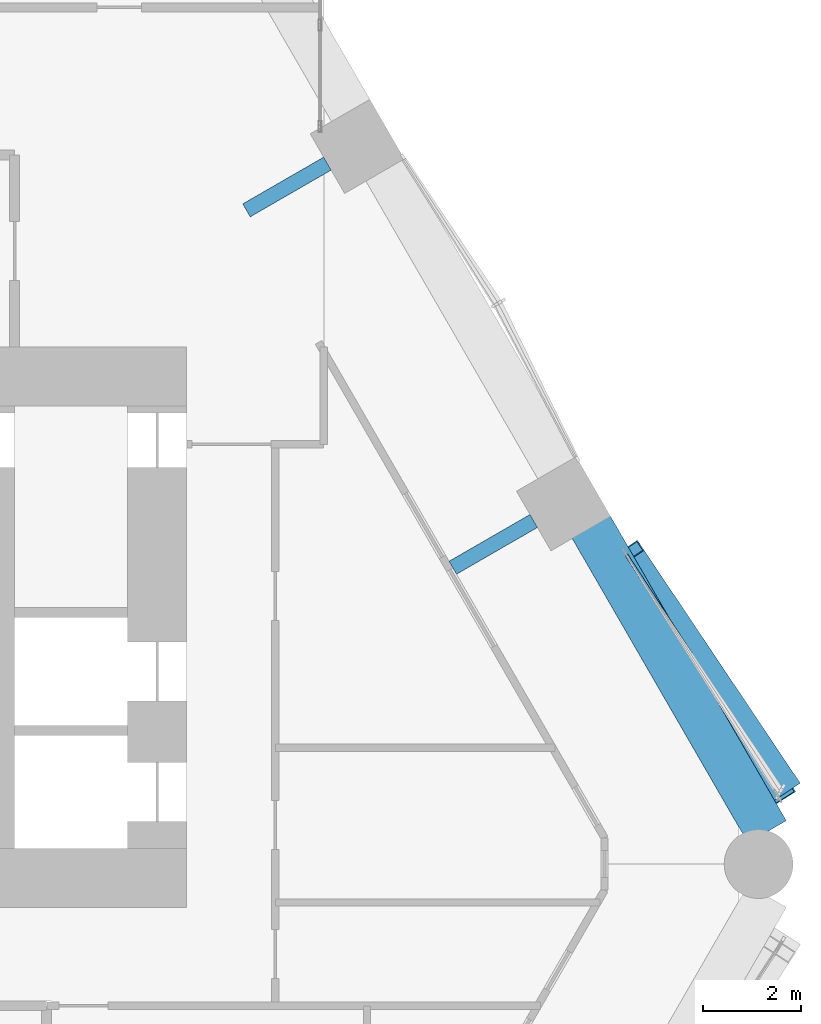
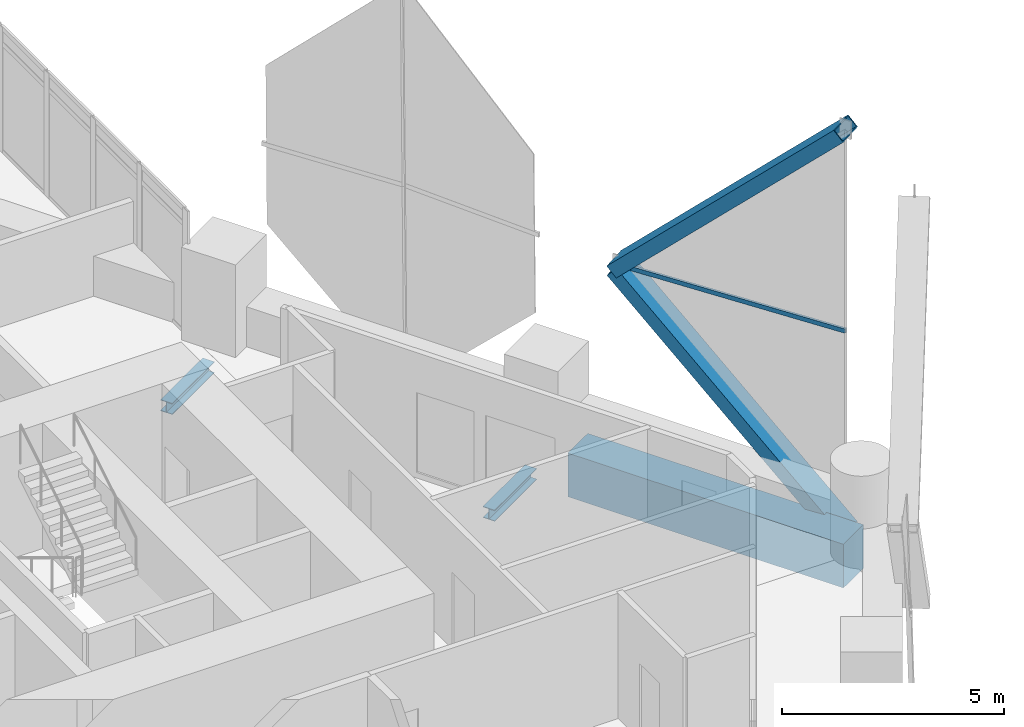
# One storey, part 19 of 35: 3 beams, 3 members, 1 element without a shape of its own.
"""IFC4 building model written with IfcOpenShell, lengths in metres."""

from ifc_helpers import new_model, si_unit, direction, frame, origin, origin_2d, place, context, subcontext, project, spatial, rectangle, hollow_rectangle, i_section, extrude, material, material_profile, profile_set, type_object, element, aggregate, save


model = new_model("IFC4")

# Units and contexts
model_context = context("Model", 3, precision=1e-05, world=origin(), true_north=direction((0.0, 1.0)))
body_context = subcontext(model_context, "Body", "Model", "MODEL_VIEW")
ifc_project = project(units=[si_unit("LENGTHUNIT", "METRE"), si_unit("AREAUNIT", "SQUARE_METRE"), si_unit("VOLUMEUNIT", "CUBIC_METRE"), si_unit("PLANEANGLEUNIT", "RADIAN"), si_unit("MASSUNIT", "GRAM", prefix="KILO")], contexts=[model_context])

# Site, building, storey
site_placement = place(None, origin())
site = spatial("IfcSite", under=ifc_project, at=site_placement, CompositionType="ELEMENT")
building_placement = place(site_placement, origin())
building = spatial("IfcBuilding", under=site, at=building_placement, Name="Ostrander Bayou Hotel Tower", CompositionType="ELEMENT")
storey_placement = place(building_placement, frame((0.0, 0.0, 69.25)))
storey = spatial("IfcBuildingStorey", under=building, at=storey_placement, Name="L17", CompositionType="ELEMENT", Elevation=69.25)

# Curtain wall, member
ifc_material_1 = material(Name="Aluminium and clear glass", Category="aluminium")
curtain_wall_type = type_object("IfcCurtainWallType", Name="CW-LAT lattice glazing", PredefinedType="NOTDEFINED", material=ifc_material_1)
curtain_wall_placement = place(storey_placement, origin())
curtain_wall = element("IfcCurtainWall", 1, at=curtain_wall_placement, inside=storey, type_object=curtain_wall_type, Name="CW-LAT L17 NE 2", PredefinedType="NOTDEFINED")
ifc_material_2 = material(Name="Aluminium", Category="aluminium")
ifc_material_profile_1 = material_profile(ifc_material_2, hollow_rectangle(XDim=0.06005859375, YDim=0.1201171875, WallThickness=0.00390625, at=origin_2d()))
ifc_profile_set_1 = profile_set([ifc_material_profile_1], Name="Aluminium")
member_type_1 = type_object("IfcMemberType", Name="CW-LA transom 60 x 120 mm", PredefinedType="USERDEFINED", material=ifc_profile_set_1)
member_1_placement = place(storey_placement, frame((24.06884765625, 0.6513671875, 5.02490234375), z_axis=(-0.544475730854, 0.838776596306, 0.0), x_axis=(-0.838776596306, -0.544475730854, 0.0)))
member_1 = element("IfcMember", 2, at=member_1_placement, type_object=member_type_1, Name="CW-LAT transom 3", ObjectType="TRANSOM", PredefinedType="USERDEFINED", context=body_context, shape_type="SweptSolid", body=[
    extrude(hollow_rectangle(XDim=0.06005859375, YDim=0.1201171875, WallThickness=0.00390625, at=origin_2d()), origin(), (0.0, 0.0, 1.0), 5.7431640625),
])
aggregate(curtain_wall, [member_1])

# Beams
ifc_material_3 = material(Name="Steel ASTM A992", Category="steel")
ifc_material_profile_2 = material_profile(ifc_material_3, i_section(OverallWidth=0.3046875, OverallDepth=0.307861328125, WebThickness=0.010009765625, FlangeThickness=0.015380859375, at=origin_2d()))
ifc_profile_set_2 = profile_set([ifc_material_profile_2], Name="Steel ASTM A992")
beam_type_1 = type_object("IfcBeamType", Name="LB1 loggia bracket W12x65", PredefinedType="BEAM", material=ifc_profile_set_2)
for number, where, z_axis, x_axis, name in (
    (3, (19.055908203125, 6.157470703125, -0.453857421875), (-0.866044365799, -0.499967155389, 0.0), (0.499967155389, -0.866044365799, 0.0), "LB1 L17 NE1"),
    (4, (14.860595703125, 13.42431640625, -0.453857421875), (-0.865988727248, -0.500063520245, 0.0), (0.500063520245, -0.865988727248, 0.0), "LB1 L17 NE2"),
):
    element("IfcBeam", number, at=place(storey_placement, frame(where, z_axis=z_axis, x_axis=x_axis)), inside=storey, type_object=beam_type_1, Name=name, PredefinedType="BEAM", context=body_context, shape_type="SweptSolid", body=[
        extrude(i_section(OverallWidth=0.3046875, OverallDepth=0.307861328125, WebThickness=0.010009765625, FlangeThickness=0.015380859375, at=origin_2d()), origin(), (0.0, 0.0, 1.0), 1.900146484375),
    ])

# Members
ifc_material_4 = material(Name="Steel ASTM A572 Gr 50", Category="steel")
ifc_material_profile_3 = material_profile(ifc_material_4, hollow_rectangle(XDim=0.699951171875, YDim=0.35009765625, WallThickness=0.02490234375, at=origin_2d()))
ifc_profile_set_3 = profile_set([ifc_material_profile_3], Name="Steel ASTM A572 Gr 50")
member_type_2 = type_object("IfcMemberType", Name="LT1 lattice member box 700 x 350 x 25 mm", PredefinedType="BRACE", material=ifc_profile_set_3)
member_2_placement = place(storey_placement, frame((20.94189453125, 5.468505859375, 5.02490234375), z_axis=(0.396361983128, -0.591250627808, -0.702367335123), x_axis=(0.830624390711, 0.556833118228, 0.0)))
element("IfcMember", 5, at=member_2_placement, inside=storey, type_object=member_type_2, Name="LT1 L17 NE 1", PredefinedType="BRACE", context=body_context, shape_type="SweptSolid", body=[
    extrude(hollow_rectangle(XDim=0.699951171875, YDim=0.35009765625, WallThickness=0.02490234375, at=origin_2d()), origin(), (0.0, 0.0, 1.0), 8.008544921875),
])
member_3_placement = place(storey_placement, frame((20.94189453125, 5.468505859375, 5.02490234375), z_axis=(0.381612363757, -0.607058323383, 0.697030986283), x_axis=(0.846615909518, 0.53220437968, 0.0)))
element("IfcMember", 6, at=member_3_placement, inside=storey, type_object=member_type_2, Name="LT1 L17 NE 2", PredefinedType="BRACE", context=body_context, shape_type="SweptSolid", body=[
    extrude(hollow_rectangle(XDim=0.699951171875, YDim=0.35009765625, WallThickness=0.02490234375, at=origin_2d()), origin(), (0.0, 0.0, 1.0), 8.06982421875),
])

# Beam
ifc_material_5 = material(Name="Concrete f'c 70 MPa", Category="concrete")
ifc_material_profile_4 = material_profile(ifc_material_5, rectangle(XDim=0.89990234375, YDim=1.199951171875, at=origin_2d()))
ifc_profile_set_4 = profile_set([ifc_material_profile_4], Name="Concrete f'c 70 MPa")
beam_type_2 = type_object("IfcBeamType", Name="SP1 spandrel beam 900 x 1200 mm f'c 70 MPa", PredefinedType="SPANDREL", material=ifc_profile_set_4)
beam_placement = place(storey_placement, frame((23.8017578125, -0.162353515625, -0.60009765625), z_axis=(-0.500014005679, 0.866017317451, 0.0), x_axis=(-0.866017317451, -0.500014005679, 0.0)))
element("IfcBeam", 7, at=beam_placement, inside=storey, type_object=beam_type_2, Name="SP1 L17 NE-1", PredefinedType="SPANDREL", context=body_context, shape_type="SweptSolid", body=[
    extrude(rectangle(XDim=0.89990234375, YDim=1.199951171875, at=origin_2d()), origin(), (0.0, 0.0, 1.0), 7.176025390625),
])

save(model, "model.ifc")
